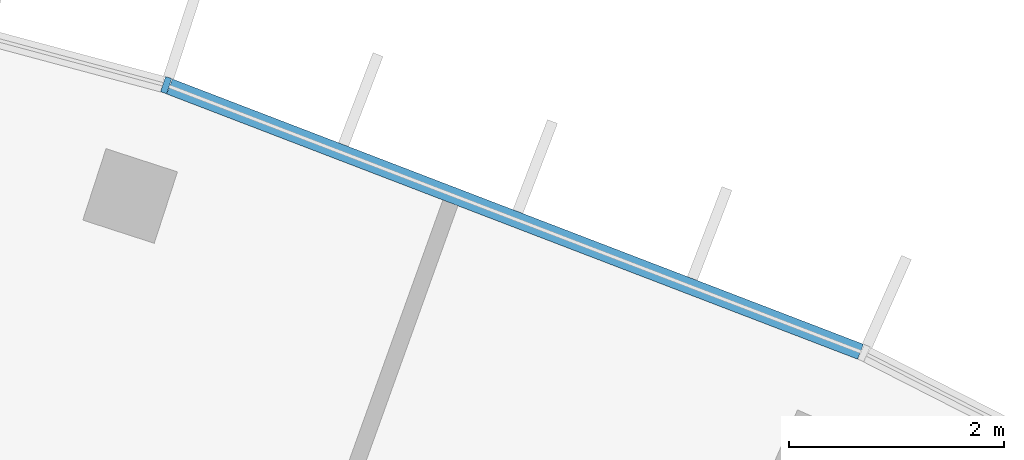
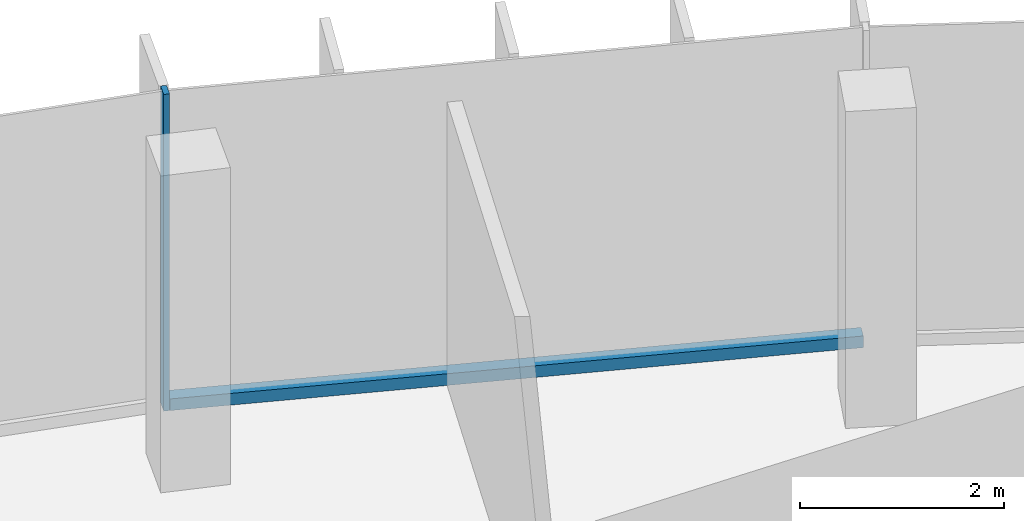
# One storey, part 10 of 19: 2 members, 1 element without a shape of its own.
"""IFC4 building model written with IfcOpenShell, lengths in metres."""

from ifc_helpers import new_model, si_unit, direction, frame, origin, origin_2d, place, context, subcontext, project, spatial, rectangle, extrude, material, layer, layer_set, material_profile, profile_set, type_object, element, aggregate, save


model = new_model("IFC4")

# Units and contexts
model_context = context("Model", 3, precision=1e-05, world=origin(), true_north=direction((0.0, 1.0)))
body_context = subcontext(model_context, "Body", "Model", "MODEL_VIEW")
ifc_project = project(units=[si_unit("LENGTHUNIT", "METRE"), si_unit("AREAUNIT", "SQUARE_METRE"), si_unit("VOLUMEUNIT", "CUBIC_METRE"), si_unit("PLANEANGLEUNIT", "RADIAN"), si_unit("MASSUNIT", "GRAM", prefix="KILO")], contexts=[model_context])

# Site, building, storey
site_placement = place(None, origin())
site = spatial("IfcSite", under=ifc_project, at=site_placement, CompositionType="ELEMENT")
building_placement = place(site_placement, origin())
building = spatial("IfcBuilding", under=site, at=building_placement, Name="Stone Belt Terrace Tower", CompositionType="ELEMENT")
storey_placement = place(building_placement, frame((0.0, 0.0, 303.60009765625)))
storey = spatial("IfcBuildingStorey", under=building, at=storey_placement, Name="L74", CompositionType="ELEMENT", Elevation=303.60009765625)

# Curtain wall, members
ifc_material = material(Name="Aluminium 6063-T6 anodised frame", Category="aluminium")
ifc_layer = layer(ifc_material, 0.14990234375)
ifc_layer_set = layer_set([ifc_layer], Name="CW-A unitised convex-face curtain wall")
curtain_wall_type = type_object("IfcCurtainWallType", Name="CW-A unitised convex-face curtain wall", PredefinedType="NOTDEFINED", material=ifc_layer_set)
curtain_wall_placement = place(storey_placement, origin())
curtain_wall = element("IfcCurtainWall", 1, at=curtain_wall_placement, inside=storey, type_object=curtain_wall_type, Name="CW-A convex face L74", PredefinedType="NOTDEFINED")
ifc_material_profile_1 = material_profile(ifc_material, rectangle(XDim=0.14990234375, YDim=0.06005859375, at=origin_2d()), Name="Aluminium 6063-T6 60x150")
ifc_profile_set_1 = profile_set([ifc_material_profile_1], Name="Aluminium 6063-T6 anodised frame")
member_type_1 = type_object("IfcMemberType", Name="CW-A mullion 60 x 150", PredefinedType="MULLION", material=ifc_profile_set_1)
member_1_placement = place(storey_placement, frame((20.57275390625, 63.316650390625, 0.0), z_axis=(0.0, 0.0, 1.0), x_axis=(-0.309016994375, -0.951056516295, 0.0)))
member_1 = element("IfcMember", 2, at=member_1_placement, type_object=member_type_1, Name="CW-A mullion 5", PredefinedType="MULLION", context=body_context, shape_type="SweptSolid", body=[
    extrude(rectangle(XDim=0.14990234375, YDim=0.06005859375, at=origin_2d()), origin(), (0.0, 0.0, 1.0), 3.7998046875),
])
ifc_material_profile_2 = material_profile(ifc_material, rectangle(XDim=0.14990234375, YDim=0.139892578125, at=origin_2d()), Name="Aluminium 6063-T6 150x140")
ifc_profile_set_2 = profile_set([ifc_material_profile_2], Name="Aluminium 6063-T6 anodised frame")
member_type_2 = type_object("IfcMemberType", Name="CW-A transom 140 x 150", PredefinedType="USERDEFINED", material=ifc_profile_set_2)
member_2_placement = place(storey_placement, frame((27.046875, 60.83154296875, 0.06982421875), z_axis=(-0.933585210269, 0.358355487146, 0.0), x_axis=(-0.358355487146, -0.933585210269, 0.0)))
member_2 = element("IfcMember", 3, at=member_2_placement, type_object=member_type_2, Name="CW-A transom 4.1", ObjectType="TRANSOM", PredefinedType="USERDEFINED", context=body_context, shape_type="SweptSolid", body=[
    extrude(rectangle(XDim=0.14990234375, YDim=0.139892578125, at=origin_2d()), origin(), (0.0, 0.0, 1.0), 6.900634765625),
])
aggregate(curtain_wall, [member_1, member_2])

save(model, "model.ifc")
